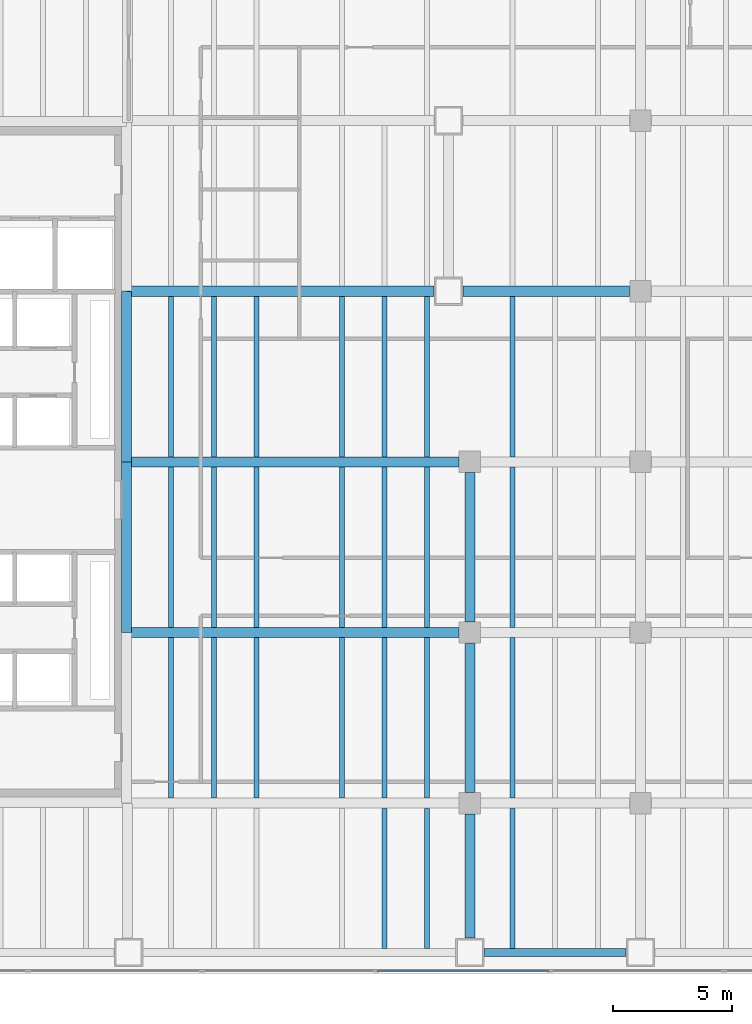
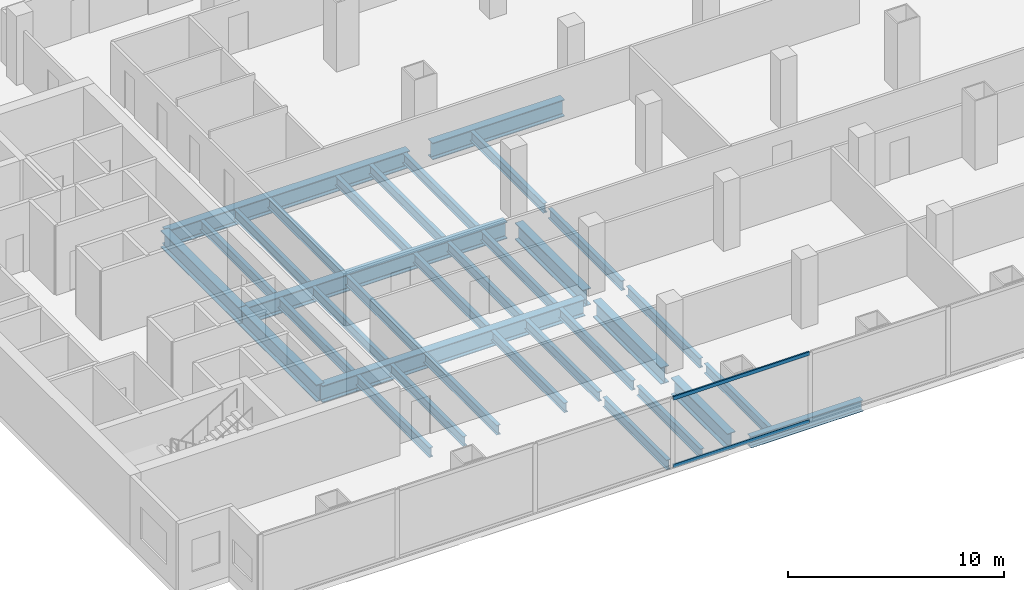
# One storey, part 4 of 31: 34 beams, 2 members, 1 element without a shape of its own.
"""IFC4 building model written with IfcOpenShell, lengths in metres."""

from ifc_helpers import new_model, si_unit, direction, frame, origin, origin_2d, place, context, subcontext, project, spatial, hollow_rectangle, i_section, extrude, material, material_profile, profile_set, type_object, element, aggregate, save


model = new_model("IFC4")

# Units and contexts
model_context = context("Model", 3, precision=1e-05, world=origin(), true_north=direction((0.0, 1.0)))
body_context = subcontext(model_context, "Body", "Model", "MODEL_VIEW")
ifc_project = project(units=[si_unit("LENGTHUNIT", "METRE"), si_unit("AREAUNIT", "SQUARE_METRE"), si_unit("VOLUMEUNIT", "CUBIC_METRE"), si_unit("PLANEANGLEUNIT", "RADIAN"), si_unit("MASSUNIT", "GRAM", prefix="KILO")], contexts=[model_context])

# Site, building, storey
site_placement = place(None, origin())
site = spatial("IfcSite", under=ifc_project, at=site_placement, CompositionType="ELEMENT")
building_placement = place(site_placement, origin())
building = spatial("IfcBuilding", under=site, at=building_placement, Name="Cobrela Telecom Tower", CompositionType="ELEMENT")
storey_placement = place(building_placement, frame((0.0, 0.0, 9.449951171875)))
storey = spatial("IfcBuildingStorey", under=building, at=storey_placement, Name="L02", CompositionType="ELEMENT", Elevation=9.449951171875)

# Beams
ifc_material_1 = material(Name="Steel ASTM A992 Grade 50", Category="steel")
ifc_material_profile_1 = material_profile(ifc_material_1, i_section(OverallWidth=0.424072265625, OverallDepth=0.947021484375, WebThickness=0.02392578125, FlangeThickness=0.042724609375, FilletRadius=0.02392578125, at=origin_2d()), Name="W36X302")
ifc_profile_set_1 = profile_set([ifc_material_profile_1], Name="Steel ASTM A992 Grade 50")
beam_type_1 = type_object("IfcBeamType", Name="BM-GIRD-01", PredefinedType="USERDEFINED", material=ifc_profile_set_1)
for number, where, z_axis, x_axis, name in (
    (1, (14.324951171875, 14.39990234375, -0.7734375), (1.0, 0.0, 0.0), (0.0, 1.0, 0.0), "L02 Primary Girder X20"),
    (2, (14.324951171875, 21.60009765625, -0.7734375), (1.0, 0.0, 0.0), (0.0, 1.0, 0.0), "L02 Primary Girder X29"),
):
    element("IfcBeam", number, at=place(storey_placement, frame(where, z_axis=z_axis, x_axis=x_axis)), inside=storey, type_object=beam_type_1, Name=name, ObjectType="GIRDER", PredefinedType="USERDEFINED", context=body_context, shape_type="SweptSolid", body=[
        extrude(i_section(OverallWidth=0.424072265625, OverallDepth=0.947021484375, WebThickness=0.02392578125, FlangeThickness=0.042724609375, FilletRadius=0.02392578125, at=origin_2d()), origin(), (0.0, 0.0, 1.0), 14.02001953125),
    ])
beam_1_placement = place(storey_placement, frame((14.324951171875, 28.800048828125, -0.7734375), z_axis=(1.0, 0.0, 0.0), x_axis=(0.0, 1.0, 0.0)))
element("IfcBeam", 3, at=beam_1_placement, inside=storey, type_object=beam_type_1, Name="L02 Primary Girder X38", ObjectType="GIRDER", PredefinedType="USERDEFINED", context=body_context, shape_type="SweptSolid", body=[
    extrude(i_section(OverallWidth=0.424072265625, OverallDepth=0.947021484375, WebThickness=0.02392578125, FlangeThickness=0.042724609375, FilletRadius=0.02392578125, at=origin_2d()), origin(), (0.0, 0.0, 1.0), 12.969970703125),
])
beam_2_placement = place(storey_placement, frame((28.5048828125, 28.800048828125, -0.7734375), z_axis=(1.0, 0.0, 0.0), x_axis=(0.0, 1.0, 0.0)))
element("IfcBeam", 4, at=beam_2_placement, inside=storey, type_object=beam_type_1, Name="L02 Primary Girder X39", ObjectType="GIRDER", PredefinedType="USERDEFINED", context=body_context, shape_type="SweptSolid", body=[
    extrude(i_section(OverallWidth=0.424072265625, OverallDepth=0.947021484375, WebThickness=0.02392578125, FlangeThickness=0.042724609375, FilletRadius=0.02392578125, at=origin_2d()), origin(), (0.0, 0.0, 1.0), 7.0400390625),
])
for number, where, z_axis, x_axis, name in (
    (5, (14.320068359375, 14.405029296875, -0.7734375), (0.0, 1.0, 0.0), (-1.0, 0.0, 0.0), "L02 Primary Girder Y62"),
    (6, (14.320068359375, 21.60498046875, -0.7734375), (0.0, 1.0, 0.0), (-1.0, 0.0, 0.0), "L02 Primary Girder Y63"),
):
    element("IfcBeam", number, at=place(storey_placement, frame(where, z_axis=z_axis, x_axis=x_axis)), inside=storey, type_object=beam_type_1, Name=name, ObjectType="GIRDER", PredefinedType="USERDEFINED", context=body_context, shape_type="SweptSolid", body=[
        extrude(i_section(OverallWidth=0.424072265625, OverallDepth=0.947021484375, WebThickness=0.02392578125, FlangeThickness=0.042724609375, FilletRadius=0.02392578125, at=origin_2d()), origin(), (0.0, 0.0, 1.0), 7.18994140625),
    ])
beam_3_placement = place(storey_placement, frame((28.800048828125, 1.5048828125, -0.7734375), z_axis=(0.0, 1.0, 0.0), x_axis=(-1.0, 0.0, 0.0)))
element("IfcBeam", 7, at=beam_3_placement, inside=storey, type_object=beam_type_1, Name="L02 Primary Girder Y68", ObjectType="GIRDER", PredefinedType="USERDEFINED", context=body_context, shape_type="SweptSolid", body=[
    extrude(i_section(OverallWidth=0.424072265625, OverallDepth=0.947021484375, WebThickness=0.02392578125, FlangeThickness=0.042724609375, FilletRadius=0.02392578125, at=origin_2d()), origin(), (0.0, 0.0, 1.0), 5.240234375),
])
for number, where, z_axis, x_axis, name in (
    (8, (28.800048828125, 7.655029296875, -0.7734375), (0.0, 1.0, 0.0), (-1.0, 0.0, 0.0), "L02 Primary Girder Y69"),
    (9, (28.800048828125, 14.85498046875, -0.7734375), (0.0, 1.0, 0.0), (-1.0, 0.0, 0.0), "L02 Primary Girder Y70"),
):
    element("IfcBeam", number, at=place(storey_placement, frame(where, z_axis=z_axis, x_axis=x_axis)), inside=storey, type_object=beam_type_1, Name=name, ObjectType="GIRDER", PredefinedType="USERDEFINED", context=body_context, shape_type="SweptSolid", body=[
        extrude(i_section(OverallWidth=0.424072265625, OverallDepth=0.947021484375, WebThickness=0.02392578125, FlangeThickness=0.042724609375, FilletRadius=0.02392578125, at=origin_2d()), origin(), (0.0, 0.0, 1.0), 6.2900390625),
    ])
ifc_material_profile_2 = material_profile(ifc_material_1, i_section(OverallWidth=0.212890625, OverallDepth=0.549072265625, WebThickness=0.0146484375, FlangeThickness=0.023681640625, FilletRadius=0.013916015625, at=origin_2d()), Name="W21X93")
ifc_profile_set_2 = profile_set([ifc_material_profile_2], Name="Steel ASTM A992 Grade 50")
beam_type_2 = type_object("IfcBeamType", Name="BM-JOIST-01", PredefinedType="JOIST", material=ifc_profile_set_2)
for number, where, z_axis, x_axis, name in (
    (10, (16.199951171875, 7.4169921875, -0.574462890625), (0.0, 1.0, 0.0), (-1.0, 0.0, 0.0), "L02 Secondary Composite Floor Beam J14"),
    (11, (16.199951171875, 14.616943359375, -0.574462890625), (0.0, 1.0, 0.0), (-1.0, 0.0, 0.0), "L02 Secondary Composite Floor Beam J15"),
    (12, (16.199951171875, 21.81689453125, -0.574462890625), (0.0, 1.0, 0.0), (-1.0, 0.0, 0.0), "L02 Secondary Composite Floor Beam J16"),
    (13, (18.0, 7.4169921875, -0.574462890625), (0.0, 1.0, 0.0), (-1.0, 0.0, 0.0), "L02 Secondary Composite Floor Beam J21"),
    (14, (18.0, 14.616943359375, -0.574462890625), (0.0, 1.0, 0.0), (-1.0, 0.0, 0.0), "L02 Secondary Composite Floor Beam J22"),
    (15, (18.0, 21.81689453125, -0.574462890625), (0.0, 1.0, 0.0), (-1.0, 0.0, 0.0), "L02 Secondary Composite Floor Beam J23"),
    (16, (19.800048828125, 7.4169921875, -0.574462890625), (0.0, 1.0, 0.0), (-1.0, 0.0, 0.0), "L02 Secondary Composite Floor Beam J28"),
    (17, (19.800048828125, 14.616943359375, -0.574462890625), (0.0, 1.0, 0.0), (-1.0, 0.0, 0.0), "L02 Secondary Composite Floor Beam J29"),
    (18, (19.800048828125, 21.81689453125, -0.574462890625), (0.0, 1.0, 0.0), (-1.0, 0.0, 0.0), "L02 Secondary Composite Floor Beam J30"),
    (19, (23.39990234375, 7.4169921875, -0.574462890625), (0.0, 1.0, 0.0), (-1.0, 0.0, 0.0), "L02 Secondary Composite Floor Beam J35"),
    (20, (23.39990234375, 14.616943359375, -0.574462890625), (0.0, 1.0, 0.0), (-1.0, 0.0, 0.0), "L02 Secondary Composite Floor Beam J36"),
    (21, (23.39990234375, 21.81689453125, -0.574462890625), (0.0, 1.0, 0.0), (-1.0, 0.0, 0.0), "L02 Secondary Composite Floor Beam J37"),
):
    element("IfcBeam", number, at=place(storey_placement, frame(where, z_axis=z_axis, x_axis=x_axis)), inside=storey, type_object=beam_type_2, Name=name, PredefinedType="JOIST", context=body_context, shape_type="SweptSolid", body=[
        extrude(i_section(OverallWidth=0.212890625, OverallDepth=0.549072265625, WebThickness=0.0146484375, FlangeThickness=0.023681640625, FilletRadius=0.013916015625, at=origin_2d()), origin(), (0.0, 0.0, 1.0), 6.76611328125),
    ])
beam_4_placement = place(storey_placement, frame((25.199951171875, 1.069091796875, -0.574462890625), z_axis=(0.0, 1.0, 0.0), x_axis=(-1.0, 0.0, 0.0)))
element("IfcBeam", 22, at=beam_4_placement, inside=storey, type_object=beam_type_2, Name="L02 Secondary Composite Floor Beam J40", PredefinedType="JOIST", context=body_context, shape_type="SweptSolid", body=[
    extrude(i_section(OverallWidth=0.212890625, OverallDepth=0.549072265625, WebThickness=0.0146484375, FlangeThickness=0.023681640625, FilletRadius=0.013916015625, at=origin_2d()), origin(), (0.0, 0.0, 1.0), 5.913818359375),
])
for number, where, z_axis, x_axis, name in (
    (23, (25.199951171875, 7.4169921875, -0.574462890625), (0.0, 1.0, 0.0), (-1.0, 0.0, 0.0), "L02 Secondary Composite Floor Beam J41"),
    (24, (25.199951171875, 14.616943359375, -0.574462890625), (0.0, 1.0, 0.0), (-1.0, 0.0, 0.0), "L02 Secondary Composite Floor Beam J42"),
    (25, (25.199951171875, 21.81689453125, -0.574462890625), (0.0, 1.0, 0.0), (-1.0, 0.0, 0.0), "L02 Secondary Composite Floor Beam J43"),
):
    element("IfcBeam", number, at=place(storey_placement, frame(where, z_axis=z_axis, x_axis=x_axis)), inside=storey, type_object=beam_type_2, Name=name, PredefinedType="JOIST", context=body_context, shape_type="SweptSolid", body=[
        extrude(i_section(OverallWidth=0.212890625, OverallDepth=0.549072265625, WebThickness=0.0146484375, FlangeThickness=0.023681640625, FilletRadius=0.013916015625, at=origin_2d()), origin(), (0.0, 0.0, 1.0), 6.76611328125),
    ])
beam_5_placement = place(storey_placement, frame((27.0, 1.069091796875, -0.574462890625), z_axis=(0.0, 1.0, 0.0), x_axis=(-1.0, 0.0, 0.0)))
element("IfcBeam", 26, at=beam_5_placement, inside=storey, type_object=beam_type_2, Name="L02 Secondary Composite Floor Beam J45", PredefinedType="JOIST", context=body_context, shape_type="SweptSolid", body=[
    extrude(i_section(OverallWidth=0.212890625, OverallDepth=0.549072265625, WebThickness=0.0146484375, FlangeThickness=0.023681640625, FilletRadius=0.013916015625, at=origin_2d()), origin(), (0.0, 0.0, 1.0), 5.913818359375),
])
for number, where, z_axis, x_axis, name in (
    (27, (27.0, 7.4169921875, -0.574462890625), (0.0, 1.0, 0.0), (-1.0, 0.0, 0.0), "L02 Secondary Composite Floor Beam J46"),
    (28, (27.0, 14.616943359375, -0.574462890625), (0.0, 1.0, 0.0), (-1.0, 0.0, 0.0), "L02 Secondary Composite Floor Beam J47"),
    (29, (27.0, 21.81689453125, -0.574462890625), (0.0, 1.0, 0.0), (-1.0, 0.0, 0.0), "L02 Secondary Composite Floor Beam J48"),
):
    element("IfcBeam", number, at=place(storey_placement, frame(where, z_axis=z_axis, x_axis=x_axis)), inside=storey, type_object=beam_type_2, Name=name, PredefinedType="JOIST", context=body_context, shape_type="SweptSolid", body=[
        extrude(i_section(OverallWidth=0.212890625, OverallDepth=0.549072265625, WebThickness=0.0146484375, FlangeThickness=0.023681640625, FilletRadius=0.013916015625, at=origin_2d()), origin(), (0.0, 0.0, 1.0), 6.76611328125),
    ])
beam_6_placement = place(storey_placement, frame((30.60009765625, 1.069091796875, -0.574462890625), z_axis=(0.0, 1.0, 0.0), x_axis=(-1.0, 0.0, 0.0)))
element("IfcBeam", 30, at=beam_6_placement, inside=storey, type_object=beam_type_2, Name="L02 Secondary Composite Floor Beam J51", PredefinedType="JOIST", context=body_context, shape_type="SweptSolid", body=[
    extrude(i_section(OverallWidth=0.212890625, OverallDepth=0.549072265625, WebThickness=0.0146484375, FlangeThickness=0.023681640625, FilletRadius=0.013916015625, at=origin_2d()), origin(), (0.0, 0.0, 1.0), 5.913818359375),
])
for number, where, z_axis, x_axis, name in (
    (31, (30.60009765625, 7.4169921875, -0.574462890625), (0.0, 1.0, 0.0), (-1.0, 0.0, 0.0), "L02 Secondary Composite Floor Beam J52"),
    (32, (30.60009765625, 14.616943359375, -0.574462890625), (0.0, 1.0, 0.0), (-1.0, 0.0, 0.0), "L02 Secondary Composite Floor Beam J53"),
    (33, (30.60009765625, 21.81689453125, -0.574462890625), (0.0, 1.0, 0.0), (-1.0, 0.0, 0.0), "L02 Secondary Composite Floor Beam J54"),
):
    element("IfcBeam", number, at=place(storey_placement, frame(where, z_axis=z_axis, x_axis=x_axis)), inside=storey, type_object=beam_type_2, Name=name, PredefinedType="JOIST", context=body_context, shape_type="SweptSolid", body=[
        extrude(i_section(OverallWidth=0.212890625, OverallDepth=0.549072265625, WebThickness=0.0146484375, FlangeThickness=0.023681640625, FilletRadius=0.013916015625, at=origin_2d()), origin(), (0.0, 0.0, 1.0), 6.76611328125),
    ])
ifc_material_profile_3 = material_profile(ifc_material_1, i_section(OverallWidth=0.327880859375, OverallDepth=0.6220703125, WebThickness=0.015380859375, FlangeThickness=0.0244140625, FilletRadius=0.014892578125, at=origin_2d()), Name="W24X131")
ifc_profile_set_3 = profile_set([ifc_material_profile_3], Name="Steel ASTM A992 Grade 50")
beam_type_3 = type_object("IfcBeamType", Name="BM-SPAND-01", PredefinedType="SPANDREL", material=ifc_profile_set_3)
beam_7_placement = place(storey_placement, frame((29.405029296875, 0.89990234375, -0.61083984375), z_axis=(1.0, 0.0, 0.0), x_axis=(0.0, 1.0, 0.0)))
element("IfcBeam", 34, at=beam_7_placement, inside=storey, type_object=beam_type_3, Name="L02 Perimeter Spandrel X03", PredefinedType="SPANDREL", context=body_context, shape_type="SweptSolid", body=[
    extrude(i_section(OverallWidth=0.327880859375, OverallDepth=0.6220703125, WebThickness=0.015380859375, FlangeThickness=0.0244140625, FilletRadius=0.014892578125, at=origin_2d()), origin(), (0.0, 0.0, 1.0), 5.989990234375),
])

# Curtain wall, members
ifc_material_2 = material(Name="Anodized Bronze Aluminium 6063-T6", Category="aluminium")
curtain_wall_type = type_object("IfcCurtainWallType", Name="CW-SYS-CONC", PredefinedType="USERDEFINED", material=ifc_material_2)
curtain_wall_placement = place(storey_placement, origin())
curtain_wall = element("IfcCurtainWall", 35, at=curtain_wall_placement, inside=storey, type_object=curtain_wall_type, Name="L02 Unitised Bronze Curtain Wall 17", ObjectType="UNITISED CURTAIN WALL", PredefinedType="USERDEFINED")
ifc_material_profile_4 = material_profile(ifc_material_2, hollow_rectangle(XDim=0.080078125, YDim=0.199951171875, WallThickness=0.00390625, at=origin_2d()), Name="ALU 80x200x4")
ifc_profile_set_4 = profile_set([ifc_material_profile_4], Name="Anodized Bronze Aluminium 6063-T6")
member_type = type_object("IfcMemberType", Name="CW-SYS-CONC-TRN", PredefinedType="USERDEFINED", material=ifc_profile_set_4)
member_1_placement = place(storey_placement, frame((32.147216796875, 0.1201171875, 0.0400390625), z_axis=(-1.0, 0.0, 0.0), x_axis=(0.0, -1.0, 0.0)))
member_1 = element("IfcMember", 36, at=member_1_placement, type_object=member_type, Name="CW-CONC transom 8.1", ObjectType="TRANSOM", PredefinedType="USERDEFINED", context=body_context, shape_type="SweptSolid", body=[
    extrude(hollow_rectangle(XDim=0.080078125, YDim=0.199951171875, WallThickness=0.00390625, at=origin_2d()), origin(), (0.0, 0.0, 1.0), 7.26171875),
])
member_2_placement = place(storey_placement, frame((32.147216796875, 0.1201171875, 3.860107421875), z_axis=(-1.0, 0.0, 0.0), x_axis=(0.0, -1.0, 0.0)))
member_2 = element("IfcMember", 37, at=member_2_placement, type_object=member_type, Name="CW-CONC transom 8.2", ObjectType="TRANSOM", PredefinedType="USERDEFINED", context=body_context, shape_type="SweptSolid", body=[
    extrude(hollow_rectangle(XDim=0.080078125, YDim=0.199951171875, WallThickness=0.00390625, at=origin_2d()), origin(), (0.0, 0.0, 1.0), 7.26171875),
])
aggregate(curtain_wall, [member_1, member_2])

save(model, "model.ifc")
